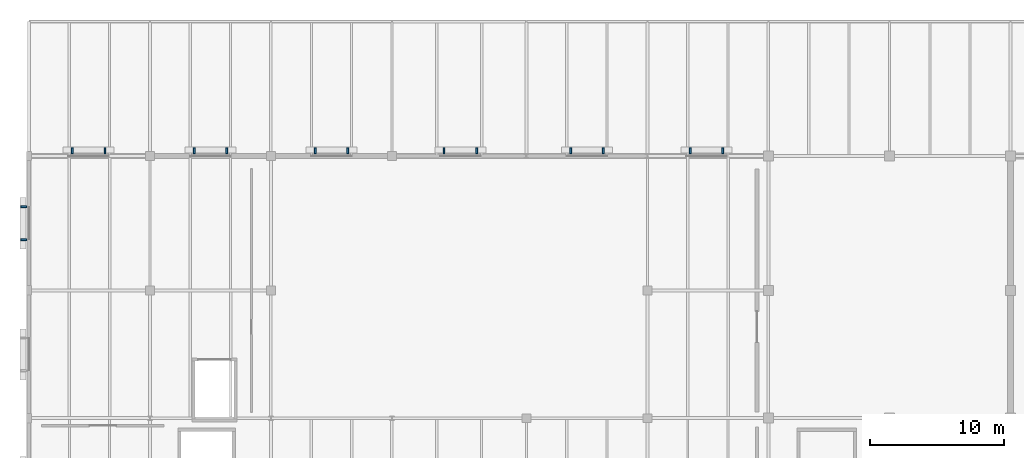
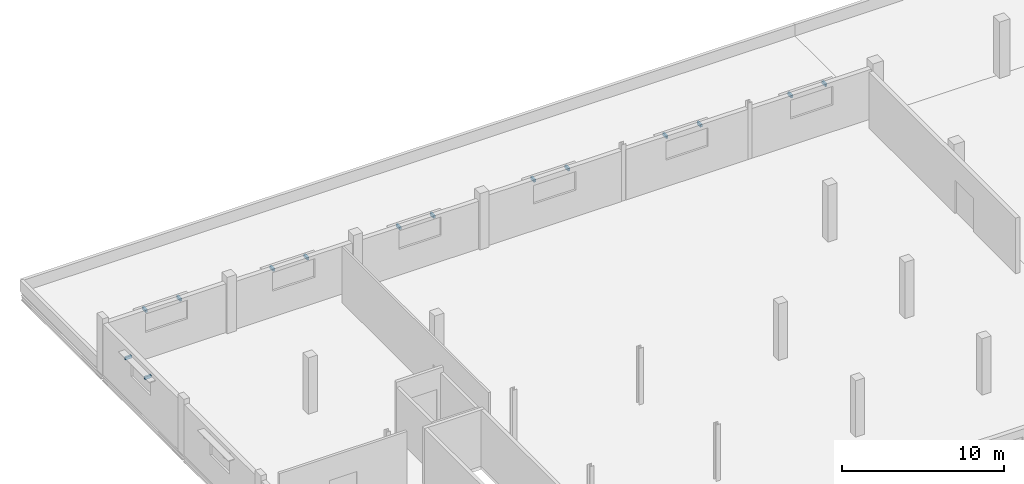
# One storey, part 72 of 85: 14 discrete accessories.
"""IFC4 building model written with IfcOpenShell, lengths in metres."""

from ifc_helpers import new_model, si_unit, direction, frame, origin, origin_2d, place, context, subcontext, project, spatial, rectangle, extrude, material, type_object, element, save


model = new_model("IFC4")

# Units and contexts
model_context = context("Model", 3, precision=1e-05, world=origin(), true_north=direction((0.0, 1.0)))
body_context = subcontext(model_context, "Body", "Model", "MODEL_VIEW")
ifc_project = project(units=[si_unit("LENGTHUNIT", "METRE"), si_unit("AREAUNIT", "SQUARE_METRE"), si_unit("VOLUMEUNIT", "CUBIC_METRE"), si_unit("PLANEANGLEUNIT", "RADIAN"), si_unit("MASSUNIT", "GRAM", prefix="KILO")], contexts=[model_context])

# Site, building, storey
site_placement = place(None, origin())
site = spatial("IfcSite", under=ifc_project, at=site_placement, CompositionType="ELEMENT")
building_placement = place(site_placement, origin())
building = spatial("IfcBuilding", under=site, at=building_placement, Name="Marnock Terrace Opera House", CompositionType="ELEMENT")
storey_placement = place(building_placement, frame((0.0, 0.0, 10.199951171875)))
storey = spatial("IfcBuildingStorey", under=building, at=storey_placement, Name="L02", CompositionType="ELEMENT", Elevation=10.199951171875)

# Discrete accessories
ifc_material = material(Name="Galvanised architectural steel framing", Category="steel")
discrete_accessory_type = type_object("IfcDiscreteAccessoryType", Name="ACC-BRACKET-450", PredefinedType="BRACKET", material=ifc_material)
for number, where, z_axis, x_axis, name in (
    (1, (-0.375, 97.783935546875, 3.3916015625), (0.0, 0.0, 1.0), (0.0, 1.0, 0.0), "Brise-soleil support bracket EW-V4W-L02-4.A"),
    (2, (-0.375, 100.216064453125, 3.3916015625), (0.0, 0.0, 1.0), (0.0, 1.0, 0.0), "Brise-soleil support bracket EW-V4W-L02-4.B"),
    (3, (3.221435546875, 104.375, 3.21728515625), (0.0, 0.0, 1.0), (1.0, 0.0, 0.0), "Brise-soleil support bracket EW-V4N-L02-1.A"),
    (4, (5.653564453125, 104.375, 3.21728515625), (0.0, 0.0, 1.0), (1.0, 0.0, 0.0), "Brise-soleil support bracket EW-V4N-L02-1.B"),
    (5, (12.283935546875, 104.375, 3.14306640625), (0.0, 0.0, 1.0), (1.0, 0.0, 0.0), "Brise-soleil support bracket EW-V4N-L02-2.A"),
    (6, (14.716064453125, 104.375, 3.14306640625), (0.0, 0.0, 1.0), (1.0, 0.0, 0.0), "Brise-soleil support bracket EW-V4N-L02-2.B"),
    (7, (21.283935546875, 104.375, 3.138671875), (0.0, 0.0, 1.0), (1.0, 0.0, 0.0), "Brise-soleil support bracket EW-V4N-L02-3.A"),
    (8, (23.716064453125, 104.375, 3.138671875), (0.0, 0.0, 1.0), (1.0, 0.0, 0.0), "Brise-soleil support bracket EW-V4N-L02-3.B"),
    (9, (30.86962890625, 104.375, 3.34765625), (0.0, 0.0, 1.0), (1.0, 0.0, 0.0), "Brise-soleil support bracket EW-V4N-L02-4.A"),
    (10, (33.3017578125, 104.375, 3.34765625), (0.0, 0.0, 1.0), (1.0, 0.0, 0.0), "Brise-soleil support bracket EW-V4N-L02-4.B"),
    (11, (40.283935546875, 104.375, 3.34765625), (0.0, 0.0, 1.0), (1.0, 0.0, 0.0), "Brise-soleil support bracket EW-V4N-L02-5.A"),
    (12, (42.716064453125, 104.375, 3.34765625), (0.0, 0.0, 1.0), (1.0, 0.0, 0.0), "Brise-soleil support bracket EW-V4N-L02-5.B"),
    (13, (49.17333984375, 104.375, 3.28955078125), (0.0, 0.0, 1.0), (1.0, 0.0, 0.0), "Brise-soleil support bracket EW-V4N-L02-6.A"),
    (14, (51.605224609375, 104.375, 3.28955078125), (0.0, 0.0, 1.0), (1.0, 0.0, 0.0), "Brise-soleil support bracket EW-V4N-L02-6.B"),
):
    element("IfcDiscreteAccessory", number, at=place(storey_placement, frame(where, z_axis=z_axis, x_axis=x_axis)), inside=storey, type_object=discrete_accessory_type, Name=name, PredefinedType="BRACKET", context=body_context, shape_type="SweptSolid", body=[
        extrude(rectangle(XDim=0.139892578125, YDim=0.449951171875, at=origin_2d()), origin(), (0.0, 0.0, 1.0), 0.199951171875),
    ])

save(model, "model.ifc")
